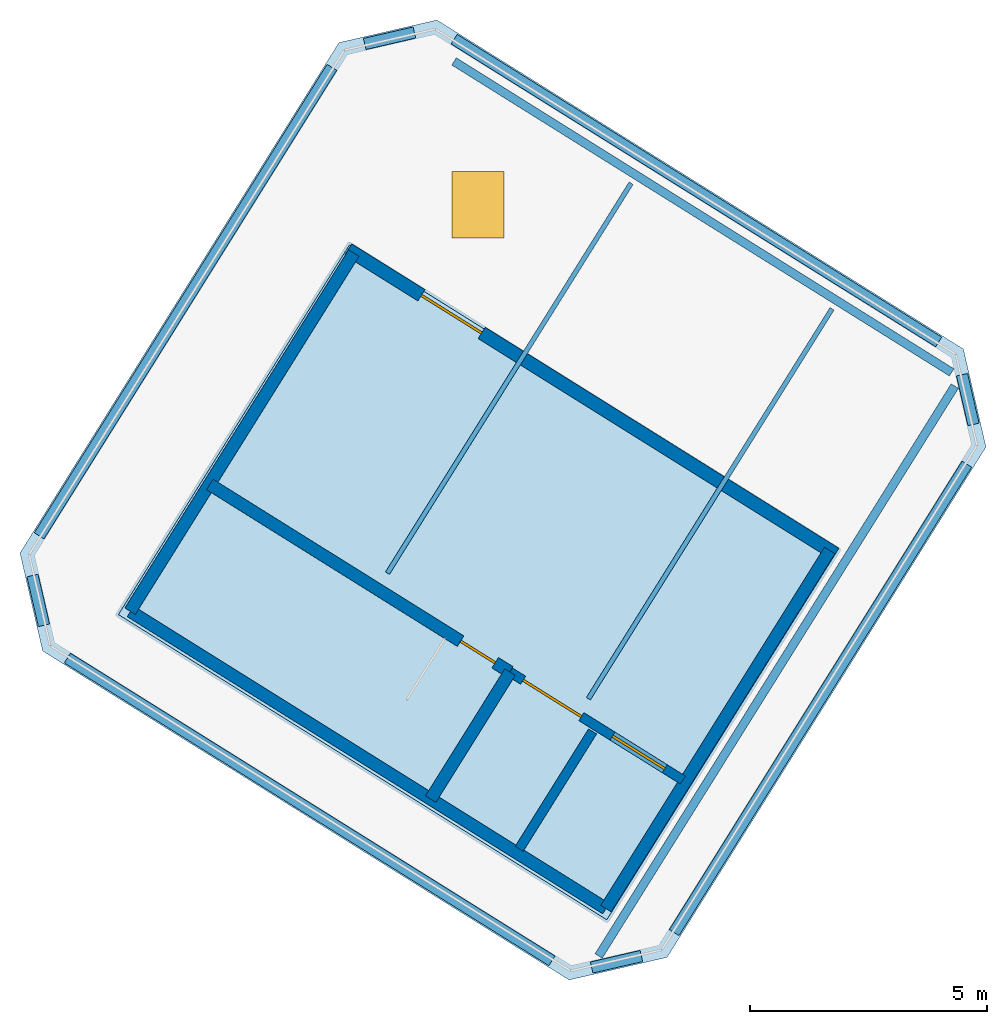
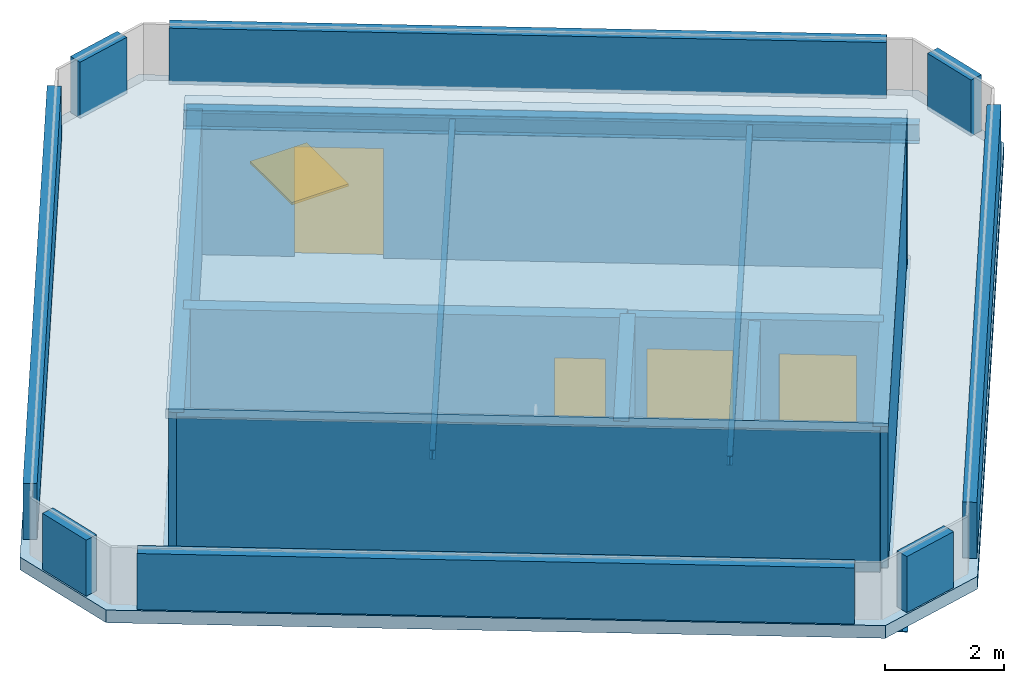
# One storey, part 1 of 2: 16 walls, 5 doors, 2 beams, 2 members, 2 slabs, 5 openings.
"""IFC4 building model written with IfcOpenShell, lengths in metres."""

from ifc_helpers import new_model, si_unit, direction, frame, frame_2d, origin, origin_2d, place, context, subcontext, project, spatial, polyline, rectangle, i_section, outline, extrude, source, transform, mapped, material, layer, layer_set, material_profile, profile_set, type_object, element, fill, save


model = new_model("IFC4")

# Units and contexts
model_context = context("Model", 3, precision=1e-05, world=origin(), true_north=direction((0.0, 1.0)))
body_context = subcontext(model_context, "Body", "Model", "MODEL_VIEW")
ifc_project = project(units=[si_unit("LENGTHUNIT", "METRE"), si_unit("AREAUNIT", "SQUARE_METRE"), si_unit("VOLUMEUNIT", "CUBIC_METRE"), si_unit("PLANEANGLEUNIT", "RADIAN"), si_unit("MASSUNIT", "GRAM", prefix="KILO")], contexts=[model_context])

# Site, building, storey
site_placement = place(None, origin())
site = spatial("IfcSite", under=ifc_project, at=site_placement, CompositionType="ELEMENT")
building_placement = place(site_placement, origin())
building = spatial("IfcBuilding", under=site, at=building_placement, Name="Tlacorven Tower", CompositionType="ELEMENT")
storey_placement = place(building_placement, frame((0.0, 0.0, 320.39990234375)))
storey = spatial("IfcBuildingStorey", under=building, at=storey_placement, Name="RF", CompositionType="ELEMENT", Elevation=320.39990234375)

# Beams
ifc_material_1 = material(Name="Steel S355J2", Category="steel")
ifc_material_profile_1 = material_profile(ifc_material_1, i_section(OverallWidth=0.179931640625, OverallDepth=0.39990234375, WebThickness=0.008544921875, FlangeThickness=0.013427734375, at=origin_2d()), Name="IPE 400")
ifc_profile_set_1 = profile_set([ifc_material_profile_1], Name="Steel S355J2")
beam_type = type_object("IfcBeamType", Name="BM-CRN-400", PredefinedType="BEAM", material=ifc_profile_set_1)
shared_shape_1 = source(origin(), body_context, "Body", "SweptSolid", [
    extrude(i_section(OverallWidth=0.179931640625, OverallDepth=0.39990234375, WebThickness=0.008544921875, FlangeThickness=0.013427734375, at=origin_2d()), origin(), (0.0, 0.0, 1.0), 14.179931640625),
])
beam_1_placement = place(storey_placement, frame((40.671630859375, 24.290283203125, -0.4599609375), z_axis=(-0.529912270669, -0.84805246618, 0.0), x_axis=(0.84805246618, -0.529912270669, 0.0)))
element("IfcBeam", 1, at=beam_1_placement, inside=storey, type_object=beam_type, Name="RF beam BM-RF-CRG1", PredefinedType="BEAM", context=body_context, shape_type="MappedRepresentation", body=[
    mapped(shared_shape_1, transform((0.0, 0.0, 0.0), scale=1.0)),
])
shared_shape_2 = source(origin(), body_context, "Body", "SweptSolid", [
    extrude(i_section(OverallWidth=0.179931640625, OverallDepth=0.39990234375, WebThickness=0.008544921875, FlangeThickness=0.013427734375, at=origin_2d()), origin(), (0.0, 0.0, 1.0), 12.380126953125),
])
beam_2_placement = place(storey_placement, frame((40.60498046875, 24.57958984375, -0.4599609375), z_axis=(-0.848047046955, 0.529920943302, 0.0), x_axis=(-0.529920943302, -0.848047046955, 0.0)))
element("IfcBeam", 2, at=beam_2_placement, inside=storey, type_object=beam_type, Name="RF beam BM-RF-CRL1", PredefinedType="BEAM", context=body_context, shape_type="MappedRepresentation", body=[
    mapped(shared_shape_2, transform((0.0, 0.0, 0.0), scale=1.0)),
])

# Members
ifc_material_profile_2 = material_profile(ifc_material_1, i_section(OverallWidth=0.10009765625, OverallDepth=0.199951171875, WebThickness=0.005615234375, FlangeThickness=0.008544921875, at=origin_2d()), Name="IPE 200")
ifc_profile_set_2 = profile_set([ifc_material_profile_2], Name="Steel S355J2")
member_type = type_object("IfcMemberType", Name="MB-CRN-PRL", PredefinedType="PURLIN", material=ifc_profile_set_2)
shared_shape_3 = source(origin(), body_context, "Body", "SweptSolid", [
    extrude(i_section(OverallWidth=0.10009765625, OverallDepth=0.199951171875, WebThickness=0.005615234375, FlangeThickness=0.008544921875, at=origin_2d()), origin(), (0.0, 0.0, 1.0), 9.7001953125),
])
for number, where, z_axis, x_axis, name in (
    (3, (38.08203125, 25.92041015625, -0.35986328125), (-0.52993106713, -0.848040720774, 0.0), (0.848040720774, -0.52993106713, 0.0), "RF Crown Roof Secondary Purlin 1"),
    (4, (33.841796875, 28.56982421875, -0.35986328125), (-0.52993106713, -0.848040720774, 0.0), (0.848040720774, -0.52993106713, 0.0), "RF Crown Roof Secondary Purlin 2"),
):
    element("IfcMember", number, at=place(storey_placement, frame(where, z_axis=z_axis, x_axis=x_axis)), inside=storey, type_object=member_type, Name=name, PredefinedType="PURLIN", context=body_context, shape_type="MappedRepresentation", body=[
        mapped(shared_shape_3, transform((0.0, 0.0, 0.0), scale=1.0)),
    ])

# Slab
ifc_material_2 = material(Name="Concrete C40/50", Category="concrete")
ifc_layer_1 = layer(ifc_material_2, 0.199951171875)
ifc_layer_set_1 = layer_set([ifc_layer_1], Name="Concrete C40/50")
slab_type_1 = type_object("IfcSlabType", Name="SL-LND-200", PredefinedType="LANDING", material=ifc_layer_set_1)
slab_1_placement = place(storey_placement, frame((0.0, 0.0, 2.900146484375)))
element("IfcSlab", 5, at=slab_1_placement, inside=storey, type_object=slab_type_1, Name="RF Stair and Firefighting-Lift Head-House Cap Slab", PredefinedType="LANDING", context=body_context, shape_type="SweptSolid", body=[
    extrude(outline(polyline([(38.204345703125, 20.832275390625), (27.900634765625, 27.27099609375), (23.025390625, 19.46875), (33.3291015625, 13.0302734375), (38.204345703125, 20.832275390625)])), origin(), (0.0, 0.0, 1.0), 0.199951171875),
])

# Slab, opening, door
ifc_layer_2 = layer(ifc_material_2, 0.260009765625)
ifc_layer_set_2 = layer_set([ifc_layer_2], Name="Concrete C40/50")
slab_type_2 = type_object("IfcSlabType", Name="SL-ROF-260", PredefinedType="ROOF", material=ifc_layer_set_2)
slab_2_placement = place(storey_placement, frame((0.0, 0.0, -0.260009765625)))
slab_2 = element("IfcSlab", 6, at=slab_2_placement, inside=storey, type_object=slab_type_2, Name="RF Main Stepped Crown Roof Cap Slab", PredefinedType="ROOF", context=body_context, shape_type="SweptSolid", body=[
    extrude(outline(polyline([(40.85400390625, 25.072509765625), (29.744384765625, 32.0146484375), (27.677490234375, 31.537353515625), (20.947509765625, 20.76708984375), (21.4248046875, 18.7001953125), (32.5341796875, 11.75830078125), (34.60107421875, 12.2353515625), (41.3310546875, 23.005615234375), (40.85400390625, 25.072509765625)]), holes=[polyline([(29.865478515625, 18.979736328125), (24.9892578125, 22.02685546875), (23.463134765625, 19.58447265625), (28.33935546875, 16.537353515625), (29.865478515625, 18.979736328125)]), polyline([(34.682373046875, 15.87548828125), (33.088134765625, 16.871826171875), (31.62548828125, 14.531005859375), (33.2197265625, 13.534912109375), (34.682373046875, 15.87548828125)]), polyline([(32.884521484375, 16.9990234375), (31.2392578125, 18.02685546875), (29.77685546875, 15.686279296875), (31.421875, 14.658203125), (32.884521484375, 16.9990234375)])]), origin(), (0.0, 0.0, 1.0), 0.260009765625),
])
opening_1_placement = place(slab_2_placement, frame((30.60888671875, 28.11376953125, 0.0)))
opening_1 = element("IfcOpeningElement", 7, at=opening_1_placement, cuts=slab_2, Name="Opening RH01", PredefinedType="OPENING", context=body_context, shape_type="SweptSolid", body=[
    extrude(rectangle(XDim=1.10009765625, YDim=1.39990234375, at=origin_2d()), frame((0.0, 0.0, -0.010009765625)), (0.0, 0.0, 1.0), 0.35009765625),
])
ifc_material_3 = material(Name="Fire-rated steel door assembly", Category="steel")
door_type_1 = type_object("IfcDoorType", Name="DR-ROF-HTCH-1100", OperationType="SINGLE_SWING_LEFT", PredefinedType="TRAPDOOR", material=ifc_material_3)
door_1_placement = place(opening_1_placement, frame((0.0, 0.0, 0.260009765625)))
door_1 = element("IfcDoor", 8, at=door_1_placement, inside=storey, type_object=door_type_1, Name="RF Crown Plant Roof Maintenance Access Hatch", OperationType="SINGLE_SWING_LEFT", OverallHeight=1.39990234375, OverallWidth=1.10009765625, PredefinedType="TRAPDOOR", context=body_context, shape_type="SweptSolid", body=[
    extrude(rectangle(XDim=1.10009765625, YDim=1.39990234375, at=origin_2d()), origin(), (0.0, 0.0, 1.0), 0.050048828125),
])
fill(opening_1, door_1)

# Wall, opening, door
ifc_material_4 = material(Name="Precast concrete C45/55", Category="concrete")
ifc_layer_3 = layer(ifc_material_4, 0.280029296875)
ifc_layer_set_3 = layer_set([ifc_layer_3], Name="Precast concrete C45/55")
wall_type_1 = type_object("IfcWallType", Name="WL-EXT-280", PredefinedType="STANDARD", material=ifc_layer_set_3)
wall_1_placement = place(storey_placement, frame((38.1513671875, 20.74755859375, 0.0), z_axis=(0.0, 0.0, 1.0), x_axis=(-0.84804809358, 0.529919268356, 0.0)))
wall_1 = element("IfcWall", 9, at=wall_1_placement, inside=storey, type_object=wall_type_1, Name="RF Head-House South Exterior Wall", PredefinedType="STANDARD", context=body_context, shape_type="SweptSolid", body=[
    extrude(rectangle(XDim=12.119873046875, YDim=0.280029296875, at=frame_2d((6.06005859375, 0.0))), origin(), (0.0, 0.0, 1.0), 2.900146484375),
])
opening_2_placement = place(wall_1_placement, frame((8.800048828125, 0.0, 0.0)))
opening_2 = element("IfcOpeningElement", 10, at=opening_2_placement, cuts=wall_1, Name="Opening D04", PredefinedType="OPENING", context=body_context, shape_type="SweptSolid", body=[
    extrude(rectangle(XDim=1.5, YDim=2.25, at=frame_2d((0.75, 1.125))), frame((0.0, 0.14990234375, 0.0), z_axis=(0.0, -1.0, 0.0), x_axis=(1.0, 0.0, 0.0)), (0.0, 0.0, 1.0), 0.300048828125),
])
ifc_material_5 = material(Name="Powder-coated aluminium and timber door", Category="wood")
door_type_2 = type_object("IfcDoorType", Name="DR-EXT-TERR-1500", OperationType="DOUBLE_DOOR_SINGLE_SWING", PredefinedType="DOOR", material=ifc_material_5)
shared_shape_4 = source(origin(), body_context, "Body", "SweptSolid", [
    extrude(rectangle(XDim=1.5, YDim=2.25, at=frame_2d((0.75, 1.125))), frame((0.0, 0.02490234375, 0.0), z_axis=(0.0, -1.0, 0.0), x_axis=(1.0, 0.0, 0.0)), (0.0, 0.0, 1.0), 0.050048828125),
])
door_2_placement = place(opening_2_placement, frame((1.5, 0.0, 0.0), z_axis=(0.0, 0.0, 1.0), x_axis=(-1.0, 0.0, 0.0)))
door_2 = element("IfcDoor", 11, at=door_2_placement, inside=storey, type_object=door_type_2, Name="RF Roof Maintenance Access Terrace Door", OperationType="DOUBLE_DOOR_SINGLE_SWING", OverallHeight=2.25, OverallWidth=1.5, PredefinedType="DOOR", context=body_context, shape_type="MappedRepresentation", body=[
    mapped(shared_shape_4, transform((0.0, 0.0, 0.0), scale=1.0)),
])
fill(opening_2, door_2)

# Walls
ifc_layer_4 = layer(ifc_material_4, 0.239990234375)
ifc_layer_set_4 = layer_set([ifc_layer_4], Name="Precast concrete C45/55")
wall_type_2 = type_object("IfcWallType", Name="WL-PAR-240", PredefinedType="PARAPET", material=ifc_layer_set_4)
wall_2_placement = place(storey_placement, frame((40.8251953125, 24.530029296875, 0.0), z_axis=(0.0, 0.0, 1.0), x_axis=(0.224892620968, -0.974383553348, 0.0)))
element("IfcWall", 12, at=wall_2_placement, inside=storey, type_object=wall_type_2, Name="RF Stepped Crown Masonry Parapet 1", PredefinedType="PARAPET", context=body_context, shape_type="SweptSolid", body=[
    extrude(rectangle(XDim=1.076904296875, YDim=0.239990234375, at=frame_2d((0.53857421875, 0.0))), origin(), (0.0, 0.0, 1.0), 1.150146484375),
])
wall_3_placement = place(storey_placement, frame((40.92724609375, 22.642333984375, 0.0), z_axis=(0.0, 0.0, 1.0), x_axis=(-0.529917976985, -0.848048900517, 0.0)))
element("IfcWall", 13, at=wall_3_placement, inside=storey, type_object=wall_type_2, Name="RF Stepped Crown Masonry Parapet 2", PredefinedType="PARAPET", context=body_context, shape_type="SweptSolid", body=[
    extrude(rectangle(XDim=11.655517578125, YDim=0.239990234375, at=frame_2d((5.82763671875, 0.0))), origin(), (0.0, 0.0, 1.0), 1.150146484375),
])
wall_4_placement = place(storey_placement, frame((34.05859375, 12.26416015625, 0.0), z_axis=(0.0, 0.0, 1.0), x_axis=(-0.974333853587, -0.225107844721, 0.0)))
element("IfcWall", 14, at=wall_4_placement, inside=storey, type_object=wall_type_2, Name="RF Stepped Crown Masonry Parapet 3", PredefinedType="PARAPET", context=body_context, shape_type="SweptSolid", body=[
    extrude(rectangle(XDim=1.076904296875, YDim=0.239990234375, at=frame_2d((0.53857421875, 0.0))), origin(), (0.0, 0.0, 1.0), 1.150146484375),
])
wall_5_placement = place(storey_placement, frame((32.1708984375, 12.162109375, 0.0), z_axis=(0.0, 0.0, 1.0), x_axis=(-0.848044945943, 0.529924305596, 0.0)))
element("IfcWall", 15, at=wall_5_placement, inside=storey, type_object=wall_type_2, Name="RF Stepped Crown Masonry Parapet 4", PredefinedType="PARAPET", context=body_context, shape_type="SweptSolid", body=[
    extrude(rectangle(XDim=12.055908203125, YDim=0.239990234375, at=frame_2d((6.02783203125, 0.0))), origin(), (0.0, 0.0, 1.0), 1.150146484375),
])
wall_6_placement = place(storey_placement, frame((21.453369140625, 19.24267578125, 0.0), z_axis=(0.0, 0.0, 1.0), x_axis=(-0.224842953123, 0.974395015602, 0.0)))
element("IfcWall", 16, at=wall_6_placement, inside=storey, type_object=wall_type_2, Name="RF Stepped Crown Masonry Parapet 5", PredefinedType="PARAPET", context=body_context, shape_type="SweptSolid", body=[
    extrude(rectangle(XDim=1.0771484375, YDim=0.239990234375, at=frame_2d((0.53857421875, 0.0))), origin(), (0.0, 0.0, 1.0), 1.150146484375),
])
wall_7_placement = place(storey_placement, frame((21.3515625, 21.13037109375, 0.0), z_axis=(0.0, 0.0, 1.0), x_axis=(0.529908563972, 0.848054782328, 0.0)))
element("IfcWall", 17, at=wall_7_placement, inside=storey, type_object=wall_type_2, Name="RF Stepped Crown Masonry Parapet 6", PredefinedType="PARAPET", context=body_context, shape_type="SweptSolid", body=[
    extrude(rectangle(XDim=11.65576171875, YDim=0.239990234375, at=frame_2d((5.827880859375, 0.0))), origin(), (0.0, 0.0, 1.0), 1.150146484375),
])
wall_8_placement = place(storey_placement, frame((28.219970703125, 31.508544921875, 0.0), z_axis=(0.0, 0.0, 1.0), x_axis=(0.974345337206, 0.225058134414, 0.0)))
element("IfcWall", 18, at=wall_8_placement, inside=storey, type_object=wall_type_2, Name="RF Stepped Crown Masonry Parapet 7", PredefinedType="PARAPET", context=body_context, shape_type="SweptSolid", body=[
    extrude(rectangle(XDim=1.0771484375, YDim=0.239990234375, at=frame_2d((0.53857421875, 0.0))), origin(), (0.0, 0.0, 1.0), 1.150146484375),
])
wall_9_placement = place(storey_placement, frame((30.10791015625, 31.610595703125, 0.0), z_axis=(0.0, 0.0, 1.0), x_axis=(0.848048359906, -0.529918842145, 0.0)))
element("IfcWall", 19, at=wall_9_placement, inside=storey, type_object=wall_type_2, Name="RF Stepped Crown Masonry Parapet 8", PredefinedType="PARAPET", context=body_context, shape_type="SweptSolid", body=[
    extrude(rectangle(XDim=12.055419921875, YDim=0.239990234375, at=frame_2d((6.02783203125, 0.0))), origin(), (0.0, 0.0, 1.0), 1.150146484375),
])

# Wall, openings, doors
ifc_layer_5 = layer(ifc_material_2, 0.199951171875)
ifc_layer_set_5 = layer_set([ifc_layer_5], Name="Concrete C40/50")
wall_type_3 = type_object("IfcWallType", Name="WL-SHF-200", PredefinedType="STANDARD", material=ifc_layer_set_5)
wall_10_placement = place(storey_placement, frame((34.9345703125, 15.977294921875, 0.0), z_axis=(0.0, 0.0, 1.0), x_axis=(-0.848049337268, 0.529917278034, 0.0)))
wall_10 = element("IfcWall", 20, at=wall_10_placement, inside=storey, type_object=wall_type_3, Name="RF Firefighting Lift Shaft Front Wall", PredefinedType="STANDARD", context=body_context, shape_type="SweptSolid", body=[
    extrude(rectangle(XDim=4.2998046875, YDim=0.199951171875, at=frame_2d((2.14990234375, 0.0))), origin(), (0.0, 0.0, 1.0), 2.900146484375),
])
opening_3_placement = place(wall_10_placement, frame((0.449951171875, 0.0, 0.0)))
opening_3 = element("IfcOpeningElement", 21, at=opening_3_placement, cuts=wall_10, Name="Opening LD03", PredefinedType="OPENING", context=body_context, shape_type="SweptSolid", body=[
    extrude(rectangle(XDim=1.300048828125, YDim=2.199951171875, at=frame_2d((0.64990234375, 1.10009765625))), frame((0.0, 0.10986328125, 0.0), z_axis=(0.0, -1.0, 0.0), x_axis=(1.0, 0.0, 0.0)), (0.0, 0.0, 1.0), 0.219970703125),
])
opening_4_placement = place(wall_10_placement, frame((2.52490234375, 0.0, 0.0)))
opening_4 = element("IfcOpeningElement", 22, at=opening_4_placement, cuts=wall_10, Name="Opening LD04", PredefinedType="OPENING", context=body_context, shape_type="SweptSolid", body=[
    extrude(rectangle(XDim=1.449951171875, YDim=2.25, at=frame_2d((0.72509765625, 1.125))), frame((0.0, 0.10986328125, 0.0), z_axis=(0.0, -1.0, 0.0), x_axis=(1.0, 0.0, 0.0)), (0.0, 0.0, 1.0), 0.219970703125),
])
door_type_3 = type_object("IfcDoorType", Name="DR-LFT-SLID-1300", OperationType="DOUBLE_DOOR_SLIDING", PredefinedType="DOOR", material=ifc_material_3)
shared_shape_5 = source(origin(), body_context, "Body", "SweptSolid", [
    extrude(rectangle(XDim=1.300048828125, YDim=2.199951171875, at=frame_2d((0.64990234375, 1.10009765625))), frame((0.0, 0.02490234375, 0.0), z_axis=(0.0, -1.0, 0.0), x_axis=(1.0, 0.0, 0.0)), (0.0, 0.0, 1.0), 0.050048828125),
])
door_3_placement = place(opening_3_placement, origin())
door_3 = element("IfcDoor", 23, at=door_3_placement, inside=storey, type_object=door_type_3, Name="RF Lift FFL-W1 Sliding Landing Door", OperationType="DOUBLE_DOOR_SLIDING", OverallHeight=2.199951171875, OverallWidth=1.300048828125, PredefinedType="DOOR", context=body_context, shape_type="MappedRepresentation", body=[
    mapped(shared_shape_5, transform((0.0, 0.0, 0.0), scale=1.0)),
])
fill(opening_3, door_3)
door_type_4 = type_object("IfcDoorType", Name="DR-LFT-SLID-1450", OperationType="DOUBLE_DOOR_SLIDING", PredefinedType="DOOR", material=ifc_material_3)
shared_shape_6 = source(origin(), body_context, "Body", "SweptSolid", [
    extrude(rectangle(XDim=1.449951171875, YDim=2.25, at=frame_2d((0.72509765625, 1.125))), frame((0.0, 0.02490234375, 0.0), z_axis=(0.0, -1.0, 0.0), x_axis=(1.0, 0.0, 0.0)), (0.0, 0.0, 1.0), 0.050048828125),
])
door_4_placement = place(opening_4_placement, origin())
door_4 = element("IfcDoor", 24, at=door_4_placement, inside=storey, type_object=door_type_4, Name="RF Lift SVL-W1 Sliding Landing Door", OperationType="DOUBLE_DOOR_SLIDING", OverallHeight=2.25, OverallWidth=1.449951171875, PredefinedType="DOOR", context=body_context, shape_type="MappedRepresentation", body=[
    mapped(shared_shape_6, transform((0.0, 0.0, 0.0), scale=1.0)),
])
fill(opening_4, door_4)

# Walls
wall_11_placement = place(storey_placement, frame((33.02880859375, 17.003173828125, 0.0), z_axis=(0.0, 0.0, 1.0), x_axis=(-0.529916267533, -0.848049968695, 0.0)))
element("IfcWall", 25, at=wall_11_placement, inside=storey, type_object=wall_type_3, Name="RF partition 8", PredefinedType="STANDARD", context=body_context, shape_type="SweptSolid", body=[
    extrude(rectangle(XDim=2.919921875, YDim=0.199951171875, at=frame_2d((1.4599609375, 0.0))), origin(), (0.0, 0.0, 1.0), 2.900146484375),
])
ifc_material_6 = material(Name="Concrete C50/60", Category="concrete")
ifc_layer_6 = layer(ifc_material_6, 0.260009765625)
ifc_layer_set_6 = layer_set([ifc_layer_6], Name="Concrete C50/60")
wall_type_4 = type_object("IfcWallType", Name="WL-STW-260", PredefinedType="SHEAR", material=ifc_layer_set_6)
wall_12_placement = place(storey_placement, frame((33.31103515625, 13.265625, 0.0), z_axis=(0.0, 0.0, 1.0), x_axis=(-0.848045835795, 0.52992288155, 0.0)))
element("IfcWall", 26, at=wall_12_placement, inside=storey, type_object=wall_type_4, Name="RF Head-House North Shear Wall", PredefinedType="SHEAR", context=body_context, shape_type="SweptSolid", body=[
    extrude(rectangle(XDim=11.830078125, YDim=0.260009765625, at=frame_2d((5.9150390625, 0.0))), origin(), (0.0, 0.0, 1.0), 2.900146484375),
])

# Wall, opening, door
wall_13_placement = place(storey_placement, frame((31.279541015625, 18.26123046875, 0.0), z_axis=(0.0, 0.0, 1.0), x_axis=(-0.848051618787, 0.529913626805, 0.0)))
wall_13 = element("IfcWall", 27, at=wall_13_placement, inside=storey, type_object=wall_type_4, Name="RF Stair W1 Lobby Shear Wall", PredefinedType="SHEAR", context=body_context, shape_type="SweptSolid", body=[
    extrude(rectangle(XDim=7.4599609375, YDim=0.260009765625, at=frame_2d((3.72998046875, 0.0))), origin(), (0.0, 0.0, 1.0), 2.900146484375),
])
opening_5_placement = place(wall_13_placement, frame((0.360107421875, 0.0, 0.0)))
opening_5 = element("IfcOpeningElement", 28, at=opening_5_placement, cuts=wall_13, Name="Opening D19", PredefinedType="OPENING", context=body_context, shape_type="SweptSolid", body=[
    extrude(rectangle(XDim=0.860107421875, YDim=2.050048828125, at=frame_2d((0.43017578125, 1.02490234375))), frame((0.0, 0.14013671875, 0.0), z_axis=(0.0, -1.0, 0.0), x_axis=(1.0, 0.0, 0.0)), (0.0, 0.0, 1.0), 0.280029296875),
])
door_type_5 = type_object("IfcDoorType", Name="DR-RSR-FD60-0860", OperationType="NOTDEFINED", PredefinedType="DOOR", material=ifc_material_3)
shared_shape_7 = source(origin(), body_context, "Body", "SweptSolid", [
    extrude(rectangle(XDim=0.860107421875, YDim=2.050048828125, at=frame_2d((0.43017578125, 1.02490234375))), frame((0.0, 0.02490234375, 0.0), z_axis=(0.0, -1.0, 0.0), x_axis=(1.0, 0.0, 0.0)), (0.0, 0.0, 1.0), 0.050048828125),
])
door_5_placement = place(opening_5_placement, frame((0.860107421875, 0.0, 0.0), z_axis=(0.0, 0.0, 1.0), x_axis=(-1.0, 0.0, 0.0)))
door_5 = element("IfcDoor", 29, at=door_5_placement, inside=storey, type_object=door_type_5, Name="RF Stair W1 Fire Door", OperationType="SINGLE_SWING_LEFT", OverallHeight=2.050048828125, OverallWidth=0.860107421875, PredefinedType="DOOR", context=body_context, shape_type="MappedRepresentation", body=[
    mapped(shared_shape_7, transform((0.0, 0.0, 0.0), scale=1.0)),
])
fill(opening_5, door_5)

# Walls
wall_14_placement = place(storey_placement, frame((31.2880859375, 18.255859375, 0.0), z_axis=(0.0, 0.0, 1.0), x_axis=(-0.529943379326, -0.848033026897, 0.0)))
element("IfcWall", 30, at=wall_14_placement, inside=storey, type_object=wall_type_4, Name="RF Stair W1 West Shear Wall", PredefinedType="SHEAR", context=body_context, shape_type="SweptSolid", body=[
    extrude(rectangle(XDim=3.159912109375, YDim=0.260009765625, at=frame_2d((1.580078125, 0.0))), origin(), (0.0, 0.0, 1.0), 2.900146484375),
])
for number, where, z_axis, x_axis, name in (
    (31, (27.99169921875, 27.095947265625, 0.0), (0.0, 0.0, 1.0), (-0.529925049089, -0.84804448135, 0.0), "RF Head-House East Shear Wall"),
    (32, (38.03271484375, 20.82177734375, 0.0), (0.0, 0.0, 1.0), (-0.529925049089, -0.84804448135, 0.0), "RF Head-House West Shear Wall"),
):
    element("IfcWall", number, at=place(storey_placement, frame(where, z_axis=z_axis, x_axis=x_axis)), inside=storey, type_object=wall_type_4, Name=name, PredefinedType="SHEAR", context=body_context, shape_type="SweptSolid", body=[
        extrude(rectangle(XDim=8.91015625, YDim=0.260009765625, at=frame_2d((4.455078125, 0.0))), origin(), (0.0, 0.0, 1.0), 2.900146484375),
    ])

save(model, "model.ifc")
